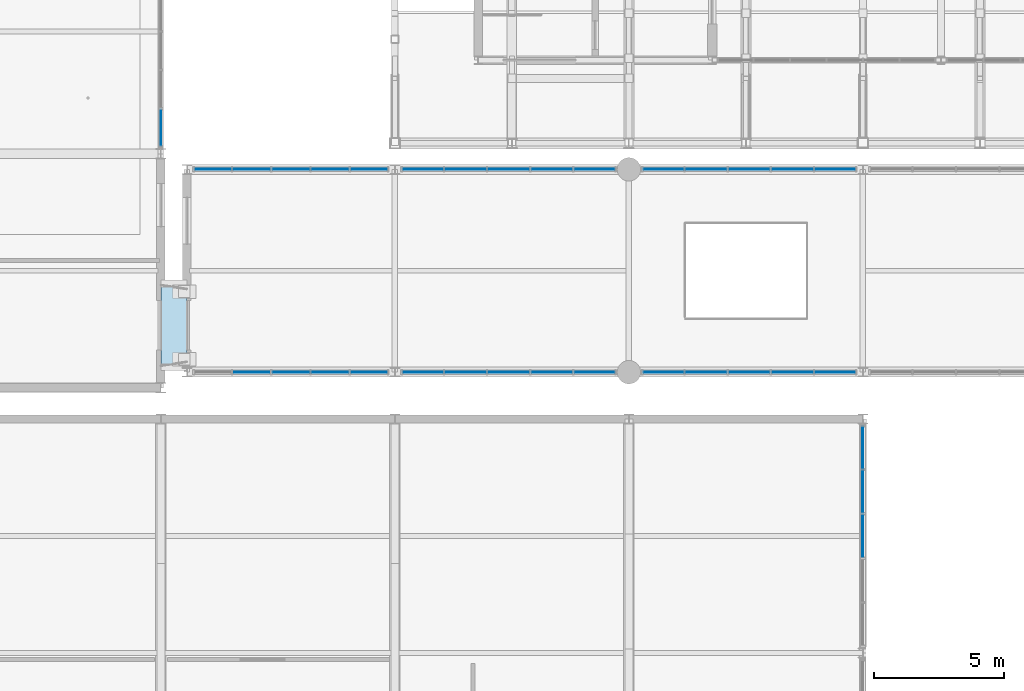
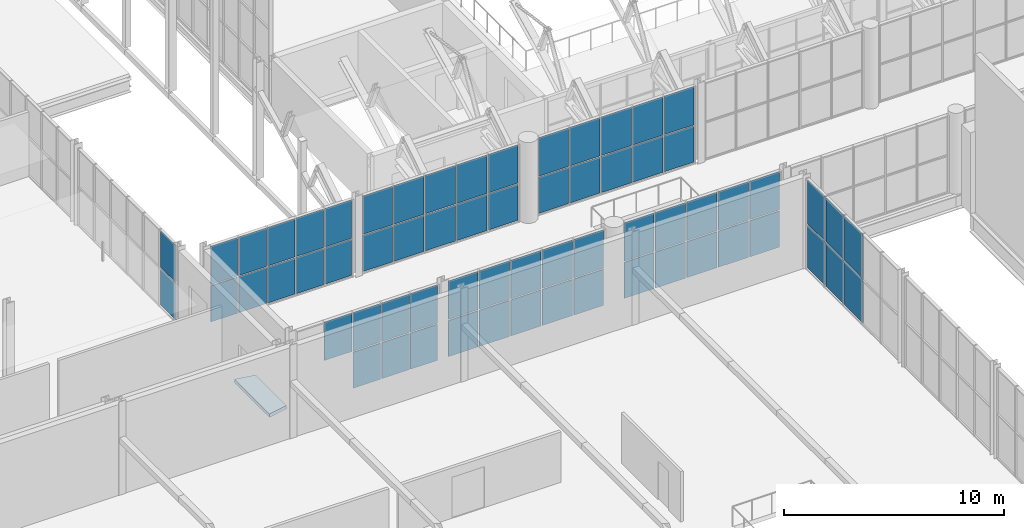
# One storey, part 91 of 134: 65 plates, 1 slab, 8 elements without a shape of their own.
"""IFC4 building model written with IfcOpenShell, lengths in metres."""

from ifc_helpers import new_model, si_unit, direction, frame, origin, origin_2d, place, context, subcontext, project, spatial, polyline, rectangle, outline, extrude, material, layer, layer_set, type_object, element, aggregate, save


model = new_model("IFC4")

# Units and contexts
model_context = context("Model", 3, precision=1e-05, world=origin(), true_north=direction((0.0, 1.0)))
body_context = subcontext(model_context, "Body", "Model", "MODEL_VIEW")
ifc_project = project(units=[si_unit("LENGTHUNIT", "METRE"), si_unit("AREAUNIT", "SQUARE_METRE"), si_unit("VOLUMEUNIT", "CUBIC_METRE"), si_unit("PLANEANGLEUNIT", "RADIAN"), si_unit("MASSUNIT", "GRAM", prefix="KILO")], contexts=[model_context])

# Site, building, storey
site_placement = place(None, origin())
site = spatial("IfcSite", under=ifc_project, at=site_placement, CompositionType="ELEMENT")
building_placement = place(site_placement, origin())
building = spatial("IfcBuilding", under=site, at=building_placement, Name="Cazmaro Siding Exhibition Halls", CompositionType="ELEMENT")
storey_placement = place(building_placement, frame((0.0, 0.0, 12.0)))
storey = spatial("IfcBuildingStorey", under=building, at=storey_placement, Name="L02", CompositionType="ELEMENT", Elevation=12.0)

# Curtain wall, plates
ifc_material_1 = material(Name="Anodized Bronze Aluminum and Solar-Control Low-E Glazing", Category="aluminium")
ifc_layer_1 = layer(ifc_material_1, 0.179931640625)
ifc_layer_set_1 = layer_set([ifc_layer_1], Name="Anodized Bronze Aluminum and Solar-Control Low-E Glazing")
curtain_wall_type_1 = type_object("IfcCurtainWallType", Name="CWS-01", PredefinedType="USERDEFINED", material=ifc_layer_set_1)
curtain_wall_1_placement = place(storey_placement, origin())
curtain_wall_1 = element("IfcCurtainWall", 1, at=curtain_wall_1_placement, inside=storey, type_object=curtain_wall_type_1, Name="Glazed Curtain Wall CWS-01 CW-237", ObjectType="GLAZED CURTAIN WALL", PredefinedType="USERDEFINED")
ifc_material_2 = material(Name="Solar-Control Low-E Double Insulating Glass", Category="glass")
ifc_layer_2 = layer(ifc_material_2, 0.02392578125)
ifc_layer_set_2 = layer_set([ifc_layer_2], Name="Solar-Control Low-E Double Insulating Glass")
plate_type_1 = type_object("IfcPlateType", Name="CWP-01", PredefinedType="CURTAIN_PANEL", material=ifc_layer_set_2)
plate_1_placement = place(storey_placement, frame((36.0, 64.6025390625, 0.06005859375), z_axis=(0.0, 0.0, 1.0), x_axis=(0.0, 1.0, 0.0)))
plate_1 = element("IfcPlate", 2, at=plate_1_placement, type_object=plate_type_1, Name="CWS-01 panel 1.1", PredefinedType="CURTAIN_PANEL", context=body_context, shape_type="SweptSolid", body=[
    extrude(rectangle(XDim=1.39501953125, YDim=0.02392578125, at=origin_2d()), origin(), (0.0, 0.0, 1.0), 2.050048828125),
])
plate_2_placement = place(storey_placement, frame((36.0, 64.6025390625, 2.169921875), z_axis=(0.0, 0.0, 1.0), x_axis=(0.0, 1.0, 0.0)))
plate_2 = element("IfcPlate", 3, at=plate_2_placement, type_object=plate_type_1, Name="CWS-01 panel 1.2", PredefinedType="CURTAIN_PANEL", context=body_context, shape_type="SweptSolid", body=[
    extrude(rectangle(XDim=1.39501953125, YDim=0.02392578125, at=origin_2d()), origin(), (0.0, 0.0, 1.0), 2.050048828125),
])
aggregate(curtain_wall_1, [plate_1, plate_2])

ifc_material_3 = material(Name="Anodized Bronze Aluminum and Solar-Control Low-E Glazing", Category="aluminium")
ifc_layer_3 = layer(ifc_material_3, 0.199951171875)
ifc_layer_set_3 = layer_set([ifc_layer_3], Name="Anodized Bronze Aluminum and Solar-Control Low-E Glazing")
curtain_wall_type_2 = type_object("IfcCurtainWallType", Name="CWS-02", PredefinedType="USERDEFINED", material=ifc_layer_set_3)
curtain_wall_2_placement = place(storey_placement, origin())
curtain_wall_2 = element("IfcCurtainWall", 4, at=curtain_wall_2_placement, inside=storey, type_object=curtain_wall_type_2, Name="Glazed Curtain Wall CWS-02 CW-142", ObjectType="GLAZED CURTAIN WALL", PredefinedType="USERDEFINED")
ifc_material_4 = material(Name="Solar-Control Low-E Double Insulating Glass", Category="glass")
ifc_layer_4 = layer(ifc_material_4, 0.035888671875)
ifc_layer_set_4 = layer_set([ifc_layer_4], Name="Solar-Control Low-E Double Insulating Glass")
plate_type_2 = type_object("IfcPlateType", Name="CWP-02", PredefinedType="CURTAIN_PANEL", material=ifc_layer_set_4)
plate_3_placement = place(storey_placement, frame((39.491943359375, 55.199951171875, 2.132568359375), z_axis=(0.0, 0.0, 1.0), x_axis=(1.0, 0.0, 0.0)))
plate_3 = element("IfcPlate", 5, at=plate_3_placement, type_object=plate_type_2, Name="CWS-02 panel 2.2", PredefinedType="CURTAIN_PANEL", context=body_context, shape_type="SweptSolid", body=[
    extrude(rectangle(XDim=1.443115234375, YDim=0.035888671875, at=origin_2d()), origin(), (0.0, 0.0, 1.0), 2.12744140625),
])
plate_4_placement = place(storey_placement, frame((41.0, 55.199951171875, 0.06494140625), z_axis=(0.0, 0.0, 1.0), x_axis=(1.0, 0.0, 0.0)))
plate_4 = element("IfcPlate", 6, at=plate_4_placement, type_object=plate_type_2, Name="CWS-02 panel 3.1", PredefinedType="CURTAIN_PANEL", context=body_context, shape_type="SweptSolid", body=[
    extrude(rectangle(XDim=1.443115234375, YDim=0.035888671875, at=origin_2d()), origin(), (0.0, 0.0, 1.0), 2.00244140625),
])
plate_5_placement = place(storey_placement, frame((41.0, 55.199951171875, 2.132568359375), z_axis=(0.0, 0.0, 1.0), x_axis=(1.0, 0.0, 0.0)))
plate_5 = element("IfcPlate", 7, at=plate_5_placement, type_object=plate_type_2, Name="CWS-02 panel 3.2", PredefinedType="CURTAIN_PANEL", context=body_context, shape_type="SweptSolid", body=[
    extrude(rectangle(XDim=1.443115234375, YDim=0.035888671875, at=origin_2d()), origin(), (0.0, 0.0, 1.0), 2.12744140625),
])
plate_6_placement = place(storey_placement, frame((42.508056640625, 55.199951171875, 0.06494140625), z_axis=(0.0, 0.0, 1.0), x_axis=(1.0, 0.0, 0.0)))
plate_6 = element("IfcPlate", 8, at=plate_6_placement, type_object=plate_type_2, Name="CWS-02 panel 4.1", PredefinedType="CURTAIN_PANEL", context=body_context, shape_type="SweptSolid", body=[
    extrude(rectangle(XDim=1.443115234375, YDim=0.035888671875, at=origin_2d()), origin(), (0.0, 0.0, 1.0), 2.00244140625),
])
plate_7_placement = place(storey_placement, frame((42.508056640625, 55.199951171875, 2.132568359375), z_axis=(0.0, 0.0, 1.0), x_axis=(1.0, 0.0, 0.0)))
plate_7 = element("IfcPlate", 9, at=plate_7_placement, type_object=plate_type_2, Name="CWS-02 panel 4.2", PredefinedType="CURTAIN_PANEL", context=body_context, shape_type="SweptSolid", body=[
    extrude(rectangle(XDim=1.443115234375, YDim=0.035888671875, at=origin_2d()), origin(), (0.0, 0.0, 1.0), 2.12744140625),
])
plate_8_placement = place(storey_placement, frame((43.999755859375, 55.199951171875, 0.06494140625), z_axis=(0.0, 0.0, 1.0), x_axis=(1.0, 0.0, 0.0)))
plate_8 = element("IfcPlate", 10, at=plate_8_placement, type_object=plate_type_2, Name="CWS-02 panel 5.1", PredefinedType="CURTAIN_PANEL", context=body_context, shape_type="SweptSolid", body=[
    extrude(rectangle(XDim=1.410400390625, YDim=0.035888671875, at=origin_2d()), origin(), (0.0, 0.0, 1.0), 2.00244140625),
])
plate_9_placement = place(storey_placement, frame((43.999755859375, 55.199951171875, 2.132568359375), z_axis=(0.0, 0.0, 1.0), x_axis=(1.0, 0.0, 0.0)))
plate_9 = element("IfcPlate", 11, at=plate_9_placement, type_object=plate_type_2, Name="CWS-02 panel 5.2", PredefinedType="CURTAIN_PANEL", context=body_context, shape_type="SweptSolid", body=[
    extrude(rectangle(XDim=1.410400390625, YDim=0.035888671875, at=origin_2d()), origin(), (0.0, 0.0, 1.0), 2.12744140625),
])
aggregate(curtain_wall_2, [plate_3, plate_4, plate_5, plate_6, plate_7, plate_8, plate_9])

curtain_wall_3_placement = place(storey_placement, origin())
curtain_wall_3 = element("IfcCurtainWall", 12, at=curtain_wall_3_placement, inside=storey, type_object=curtain_wall_type_2, Name="Glazed Curtain Wall CWS-02 CW-144", ObjectType="GLAZED CURTAIN WALL", PredefinedType="USERDEFINED")
plate_10_placement = place(storey_placement, frame((43.999755859375, 63.0, 0.06494140625), z_axis=(0.0, 0.0, 1.0), x_axis=(-1.0, 0.0, 0.0)))
plate_10 = element("IfcPlate", 13, at=plate_10_placement, type_object=plate_type_2, Name="CWS-02 panel 1.1", PredefinedType="CURTAIN_PANEL", context=body_context, shape_type="SweptSolid", body=[
    extrude(rectangle(XDim=1.410400390625, YDim=0.035888671875, at=origin_2d()), origin(), (0.0, 0.0, 1.0), 2.00244140625),
])
plate_11_placement = place(storey_placement, frame((43.999755859375, 63.0, 2.132568359375), z_axis=(0.0, 0.0, 1.0), x_axis=(-1.0, 0.0, 0.0)))
plate_11 = element("IfcPlate", 14, at=plate_11_placement, type_object=plate_type_2, Name="CWS-02 panel 1.2", PredefinedType="CURTAIN_PANEL", context=body_context, shape_type="SweptSolid", body=[
    extrude(rectangle(XDim=1.410400390625, YDim=0.035888671875, at=origin_2d()), origin(), (0.0, 0.0, 1.0), 2.12744140625),
])
plate_12_placement = place(storey_placement, frame((42.508056640625, 63.0, 0.06494140625), z_axis=(0.0, 0.0, 1.0), x_axis=(-1.0, 0.0, 0.0)))
plate_12 = element("IfcPlate", 15, at=plate_12_placement, type_object=plate_type_2, Name="CWS-02 panel 2.1", PredefinedType="CURTAIN_PANEL", context=body_context, shape_type="SweptSolid", body=[
    extrude(rectangle(XDim=1.443115234375, YDim=0.035888671875, at=origin_2d()), origin(), (0.0, 0.0, 1.0), 2.00244140625),
])
plate_13_placement = place(storey_placement, frame((42.508056640625, 63.0, 2.132568359375), z_axis=(0.0, 0.0, 1.0), x_axis=(-1.0, 0.0, 0.0)))
plate_13 = element("IfcPlate", 16, at=plate_13_placement, type_object=plate_type_2, Name="CWS-02 panel 2.2", PredefinedType="CURTAIN_PANEL", context=body_context, shape_type="SweptSolid", body=[
    extrude(rectangle(XDim=1.443115234375, YDim=0.035888671875, at=origin_2d()), origin(), (0.0, 0.0, 1.0), 2.12744140625),
])
plate_14_placement = place(storey_placement, frame((41.0, 63.0, 0.06494140625), z_axis=(0.0, 0.0, 1.0), x_axis=(-1.0, 0.0, 0.0)))
plate_14 = element("IfcPlate", 17, at=plate_14_placement, type_object=plate_type_2, Name="CWS-02 panel 3.1", PredefinedType="CURTAIN_PANEL", context=body_context, shape_type="SweptSolid", body=[
    extrude(rectangle(XDim=1.443115234375, YDim=0.035888671875, at=origin_2d()), origin(), (0.0, 0.0, 1.0), 2.00244140625),
])
plate_15_placement = place(storey_placement, frame((41.0, 63.0, 2.132568359375), z_axis=(0.0, 0.0, 1.0), x_axis=(-1.0, 0.0, 0.0)))
plate_15 = element("IfcPlate", 18, at=plate_15_placement, type_object=plate_type_2, Name="CWS-02 panel 3.2", PredefinedType="CURTAIN_PANEL", context=body_context, shape_type="SweptSolid", body=[
    extrude(rectangle(XDim=1.443115234375, YDim=0.035888671875, at=origin_2d()), origin(), (0.0, 0.0, 1.0), 2.12744140625),
])
plate_16_placement = place(storey_placement, frame((39.491943359375, 63.0, 0.06494140625), z_axis=(0.0, 0.0, 1.0), x_axis=(-1.0, 0.0, 0.0)))
plate_16 = element("IfcPlate", 19, at=plate_16_placement, type_object=plate_type_2, Name="CWS-02 panel 4.1", PredefinedType="CURTAIN_PANEL", context=body_context, shape_type="SweptSolid", body=[
    extrude(rectangle(XDim=1.443115234375, YDim=0.035888671875, at=origin_2d()), origin(), (0.0, 0.0, 1.0), 2.00244140625),
])
plate_17_placement = place(storey_placement, frame((39.491943359375, 63.0, 2.132568359375), z_axis=(0.0, 0.0, 1.0), x_axis=(-1.0, 0.0, 0.0)))
plate_17 = element("IfcPlate", 20, at=plate_17_placement, type_object=plate_type_2, Name="CWS-02 panel 4.2", PredefinedType="CURTAIN_PANEL", context=body_context, shape_type="SweptSolid", body=[
    extrude(rectangle(XDim=1.443115234375, YDim=0.035888671875, at=origin_2d()), origin(), (0.0, 0.0, 1.0), 2.12744140625),
])
plate_18_placement = place(storey_placement, frame((38.000244140625, 63.0, 0.06494140625), z_axis=(0.0, 0.0, 1.0), x_axis=(-1.0, 0.0, 0.0)))
plate_18 = element("IfcPlate", 21, at=plate_18_placement, type_object=plate_type_2, Name="CWS-02 panel 5.1", PredefinedType="CURTAIN_PANEL", context=body_context, shape_type="SweptSolid", body=[
    extrude(rectangle(XDim=1.410400390625, YDim=0.035888671875, at=origin_2d()), origin(), (0.0, 0.0, 1.0), 2.00244140625),
])
plate_19_placement = place(storey_placement, frame((38.000244140625, 63.0, 2.132568359375), z_axis=(0.0, 0.0, 1.0), x_axis=(-1.0, 0.0, 0.0)))
plate_19 = element("IfcPlate", 22, at=plate_19_placement, type_object=plate_type_2, Name="CWS-02 panel 5.2", PredefinedType="CURTAIN_PANEL", context=body_context, shape_type="SweptSolid", body=[
    extrude(rectangle(XDim=1.410400390625, YDim=0.035888671875, at=origin_2d()), origin(), (0.0, 0.0, 1.0), 2.12744140625),
])
aggregate(curtain_wall_3, [plate_10, plate_11, plate_12, plate_13, plate_14, plate_15, plate_16, plate_17, plate_18, plate_19])

curtain_wall_4_placement = place(storey_placement, origin())
curtain_wall_4 = element("IfcCurtainWall", 23, at=curtain_wall_4_placement, inside=storey, type_object=curtain_wall_type_2, Name="Glazed Curtain Wall CWS-02 CW-147", ObjectType="GLAZED CURTAIN WALL", PredefinedType="USERDEFINED")
plate_20_placement = place(storey_placement, frame((46.074951171875, 55.199951171875, 0.06494140625), z_axis=(0.0, 0.0, 1.0), x_axis=(1.0, 0.0, 0.0)))
plate_20 = element("IfcPlate", 24, at=plate_20_placement, type_object=plate_type_2, Name="CWS-02 panel 1.1", PredefinedType="CURTAIN_PANEL", context=body_context, shape_type="SweptSolid", body=[
    extrude(rectangle(XDim=1.559814453125, YDim=0.035888671875, at=origin_2d()), origin(), (0.0, 0.0, 1.0), 2.00244140625),
])
plate_21_placement = place(storey_placement, frame((46.074951171875, 55.199951171875, 2.132568359375), z_axis=(0.0, 0.0, 1.0), x_axis=(1.0, 0.0, 0.0)))
plate_21 = element("IfcPlate", 25, at=plate_21_placement, type_object=plate_type_2, Name="CWS-02 panel 1.2", PredefinedType="CURTAIN_PANEL", context=body_context, shape_type="SweptSolid", body=[
    extrude(rectangle(XDim=1.559814453125, YDim=0.035888671875, at=origin_2d()), origin(), (0.0, 0.0, 1.0), 2.12744140625),
])
plate_22_placement = place(storey_placement, frame((47.716064453125, 55.199951171875, 0.06494140625), z_axis=(0.0, 0.0, 1.0), x_axis=(1.0, 0.0, 0.0)))
plate_22 = element("IfcPlate", 26, at=plate_22_placement, type_object=plate_type_2, Name="CWS-02 panel 2.1", PredefinedType="CURTAIN_PANEL", context=body_context, shape_type="SweptSolid", body=[
    extrude(rectangle(XDim=1.59228515625, YDim=0.035888671875, at=origin_2d()), origin(), (0.0, 0.0, 1.0), 2.00244140625),
])
plate_23_placement = place(storey_placement, frame((47.716064453125, 55.199951171875, 2.132568359375), z_axis=(0.0, 0.0, 1.0), x_axis=(1.0, 0.0, 0.0)))
plate_23 = element("IfcPlate", 27, at=plate_23_placement, type_object=plate_type_2, Name="CWS-02 panel 2.2", PredefinedType="CURTAIN_PANEL", context=body_context, shape_type="SweptSolid", body=[
    extrude(rectangle(XDim=1.59228515625, YDim=0.035888671875, at=origin_2d()), origin(), (0.0, 0.0, 1.0), 2.12744140625),
])
plate_24_placement = place(storey_placement, frame((49.37353515625, 55.199951171875, 0.06494140625), z_axis=(0.0, 0.0, 1.0), x_axis=(1.0, 0.0, 0.0)))
plate_24 = element("IfcPlate", 28, at=plate_24_placement, type_object=plate_type_2, Name="CWS-02 panel 3.1", PredefinedType="CURTAIN_PANEL", context=body_context, shape_type="SweptSolid", body=[
    extrude(rectangle(XDim=1.59228515625, YDim=0.035888671875, at=origin_2d()), origin(), (0.0, 0.0, 1.0), 2.00244140625),
])
plate_25_placement = place(storey_placement, frame((49.37353515625, 55.199951171875, 2.132568359375), z_axis=(0.0, 0.0, 1.0), x_axis=(1.0, 0.0, 0.0)))
plate_25 = element("IfcPlate", 29, at=plate_25_placement, type_object=plate_type_2, Name="CWS-02 panel 3.2", PredefinedType="CURTAIN_PANEL", context=body_context, shape_type="SweptSolid", body=[
    extrude(rectangle(XDim=1.59228515625, YDim=0.035888671875, at=origin_2d()), origin(), (0.0, 0.0, 1.0), 2.12744140625),
])
plate_26_placement = place(storey_placement, frame((51.031005859375, 55.199951171875, 0.06494140625), z_axis=(0.0, 0.0, 1.0), x_axis=(1.0, 0.0, 0.0)))
plate_26 = element("IfcPlate", 30, at=plate_26_placement, type_object=plate_type_2, Name="CWS-02 panel 4.1", PredefinedType="CURTAIN_PANEL", context=body_context, shape_type="SweptSolid", body=[
    extrude(rectangle(XDim=1.59228515625, YDim=0.035888671875, at=origin_2d()), origin(), (0.0, 0.0, 1.0), 2.00244140625),
])
plate_27_placement = place(storey_placement, frame((51.031005859375, 55.199951171875, 2.132568359375), z_axis=(0.0, 0.0, 1.0), x_axis=(1.0, 0.0, 0.0)))
plate_27 = element("IfcPlate", 31, at=plate_27_placement, type_object=plate_type_2, Name="CWS-02 panel 4.2", PredefinedType="CURTAIN_PANEL", context=body_context, shape_type="SweptSolid", body=[
    extrude(rectangle(XDim=1.59228515625, YDim=0.035888671875, at=origin_2d()), origin(), (0.0, 0.0, 1.0), 2.12744140625),
])
plate_28_placement = place(storey_placement, frame((52.672119140625, 55.199951171875, 0.06494140625), z_axis=(0.0, 0.0, 1.0), x_axis=(1.0, 0.0, 0.0)))
plate_28 = element("IfcPlate", 32, at=plate_28_placement, type_object=plate_type_2, Name="CWS-02 panel 5.1", PredefinedType="CURTAIN_PANEL", context=body_context, shape_type="SweptSolid", body=[
    extrude(rectangle(XDim=1.559814453125, YDim=0.035888671875, at=origin_2d()), origin(), (0.0, 0.0, 1.0), 2.00244140625),
])
plate_29_placement = place(storey_placement, frame((52.672119140625, 55.199951171875, 2.132568359375), z_axis=(0.0, 0.0, 1.0), x_axis=(1.0, 0.0, 0.0)))
plate_29 = element("IfcPlate", 33, at=plate_29_placement, type_object=plate_type_2, Name="CWS-02 panel 5.2", PredefinedType="CURTAIN_PANEL", context=body_context, shape_type="SweptSolid", body=[
    extrude(rectangle(XDim=1.559814453125, YDim=0.035888671875, at=origin_2d()), origin(), (0.0, 0.0, 1.0), 2.12744140625),
])
aggregate(curtain_wall_4, [plate_20, plate_21, plate_22, plate_23, plate_24, plate_25, plate_26, plate_27, plate_28, plate_29])

curtain_wall_5_placement = place(storey_placement, origin())
curtain_wall_5 = element("IfcCurtainWall", 34, at=curtain_wall_5_placement, inside=storey, type_object=curtain_wall_type_2, Name="Glazed Curtain Wall CWS-02 CW-149", ObjectType="GLAZED CURTAIN WALL", PredefinedType="USERDEFINED")
plate_30_placement = place(storey_placement, frame((52.672119140625, 63.0, 0.06494140625), z_axis=(0.0, 0.0, 1.0), x_axis=(-1.0, 0.0, 0.0)))
plate_30 = element("IfcPlate", 35, at=plate_30_placement, type_object=plate_type_2, Name="CWS-02 panel 1.1", PredefinedType="CURTAIN_PANEL", context=body_context, shape_type="SweptSolid", body=[
    extrude(rectangle(XDim=1.559814453125, YDim=0.035888671875, at=origin_2d()), origin(), (0.0, 0.0, 1.0), 2.00244140625),
])
plate_31_placement = place(storey_placement, frame((52.672119140625, 63.0, 2.132568359375), z_axis=(0.0, 0.0, 1.0), x_axis=(-1.0, 0.0, 0.0)))
plate_31 = element("IfcPlate", 36, at=plate_31_placement, type_object=plate_type_2, Name="CWS-02 panel 1.2", PredefinedType="CURTAIN_PANEL", context=body_context, shape_type="SweptSolid", body=[
    extrude(rectangle(XDim=1.559814453125, YDim=0.035888671875, at=origin_2d()), origin(), (0.0, 0.0, 1.0), 2.12744140625),
])
plate_32_placement = place(storey_placement, frame((51.031005859375, 63.0, 0.06494140625), z_axis=(0.0, 0.0, 1.0), x_axis=(-1.0, 0.0, 0.0)))
plate_32 = element("IfcPlate", 37, at=plate_32_placement, type_object=plate_type_2, Name="CWS-02 panel 2.1", PredefinedType="CURTAIN_PANEL", context=body_context, shape_type="SweptSolid", body=[
    extrude(rectangle(XDim=1.59228515625, YDim=0.035888671875, at=origin_2d()), origin(), (0.0, 0.0, 1.0), 2.00244140625),
])
plate_33_placement = place(storey_placement, frame((51.031005859375, 63.0, 2.132568359375), z_axis=(0.0, 0.0, 1.0), x_axis=(-1.0, 0.0, 0.0)))
plate_33 = element("IfcPlate", 38, at=plate_33_placement, type_object=plate_type_2, Name="CWS-02 panel 2.2", PredefinedType="CURTAIN_PANEL", context=body_context, shape_type="SweptSolid", body=[
    extrude(rectangle(XDim=1.59228515625, YDim=0.035888671875, at=origin_2d()), origin(), (0.0, 0.0, 1.0), 2.12744140625),
])
plate_34_placement = place(storey_placement, frame((49.37353515625, 63.0, 0.06494140625), z_axis=(0.0, 0.0, 1.0), x_axis=(-1.0, 0.0, 0.0)))
plate_34 = element("IfcPlate", 39, at=plate_34_placement, type_object=plate_type_2, Name="CWS-02 panel 3.1", PredefinedType="CURTAIN_PANEL", context=body_context, shape_type="SweptSolid", body=[
    extrude(rectangle(XDim=1.59228515625, YDim=0.035888671875, at=origin_2d()), origin(), (0.0, 0.0, 1.0), 2.00244140625),
])
plate_35_placement = place(storey_placement, frame((49.37353515625, 63.0, 2.132568359375), z_axis=(0.0, 0.0, 1.0), x_axis=(-1.0, 0.0, 0.0)))
plate_35 = element("IfcPlate", 40, at=plate_35_placement, type_object=plate_type_2, Name="CWS-02 panel 3.2", PredefinedType="CURTAIN_PANEL", context=body_context, shape_type="SweptSolid", body=[
    extrude(rectangle(XDim=1.59228515625, YDim=0.035888671875, at=origin_2d()), origin(), (0.0, 0.0, 1.0), 2.12744140625),
])
plate_36_placement = place(storey_placement, frame((47.716064453125, 63.0, 0.06494140625), z_axis=(0.0, 0.0, 1.0), x_axis=(-1.0, 0.0, 0.0)))
plate_36 = element("IfcPlate", 41, at=plate_36_placement, type_object=plate_type_2, Name="CWS-02 panel 4.1", PredefinedType="CURTAIN_PANEL", context=body_context, shape_type="SweptSolid", body=[
    extrude(rectangle(XDim=1.59228515625, YDim=0.035888671875, at=origin_2d()), origin(), (0.0, 0.0, 1.0), 2.00244140625),
])
plate_37_placement = place(storey_placement, frame((47.716064453125, 63.0, 2.132568359375), z_axis=(0.0, 0.0, 1.0), x_axis=(-1.0, 0.0, 0.0)))
plate_37 = element("IfcPlate", 42, at=plate_37_placement, type_object=plate_type_2, Name="CWS-02 panel 4.2", PredefinedType="CURTAIN_PANEL", context=body_context, shape_type="SweptSolid", body=[
    extrude(rectangle(XDim=1.59228515625, YDim=0.035888671875, at=origin_2d()), origin(), (0.0, 0.0, 1.0), 2.12744140625),
])
plate_38_placement = place(storey_placement, frame((46.074951171875, 63.0, 0.06494140625), z_axis=(0.0, 0.0, 1.0), x_axis=(-1.0, 0.0, 0.0)))
plate_38 = element("IfcPlate", 43, at=plate_38_placement, type_object=plate_type_2, Name="CWS-02 panel 5.1", PredefinedType="CURTAIN_PANEL", context=body_context, shape_type="SweptSolid", body=[
    extrude(rectangle(XDim=1.559814453125, YDim=0.035888671875, at=origin_2d()), origin(), (0.0, 0.0, 1.0), 2.00244140625),
])
plate_39_placement = place(storey_placement, frame((46.074951171875, 63.0, 2.132568359375), z_axis=(0.0, 0.0, 1.0), x_axis=(-1.0, 0.0, 0.0)))
plate_39 = element("IfcPlate", 44, at=plate_39_placement, type_object=plate_type_2, Name="CWS-02 panel 5.2", PredefinedType="CURTAIN_PANEL", context=body_context, shape_type="SweptSolid", body=[
    extrude(rectangle(XDim=1.559814453125, YDim=0.035888671875, at=origin_2d()), origin(), (0.0, 0.0, 1.0), 2.12744140625),
])
aggregate(curtain_wall_5, [plate_30, plate_31, plate_32, plate_33, plate_34, plate_35, plate_36, plate_37, plate_38, plate_39])

curtain_wall_6_placement = place(storey_placement, origin())
curtain_wall_6 = element("IfcCurtainWall", 45, at=curtain_wall_6_placement, inside=storey, type_object=curtain_wall_type_2, Name="Glazed Curtain Wall CWS-02 CW-152", ObjectType="GLAZED CURTAIN WALL", PredefinedType="USERDEFINED")
plate_40_placement = place(storey_placement, frame((55.327880859375, 55.199951171875, 0.06494140625), z_axis=(0.0, 0.0, 1.0), x_axis=(1.0, 0.0, 0.0)))
plate_40 = element("IfcPlate", 46, at=plate_40_placement, type_object=plate_type_2, Name="CWS-02 panel 1.1", PredefinedType="CURTAIN_PANEL", context=body_context, shape_type="SweptSolid", body=[
    extrude(rectangle(XDim=1.559814453125, YDim=0.035888671875, at=origin_2d()), origin(), (0.0, 0.0, 1.0), 2.00244140625),
])
plate_41_placement = place(storey_placement, frame((55.327880859375, 55.199951171875, 2.132568359375), z_axis=(0.0, 0.0, 1.0), x_axis=(1.0, 0.0, 0.0)))
plate_41 = element("IfcPlate", 47, at=plate_41_placement, type_object=plate_type_2, Name="CWS-02 panel 1.2", PredefinedType="CURTAIN_PANEL", context=body_context, shape_type="SweptSolid", body=[
    extrude(rectangle(XDim=1.559814453125, YDim=0.035888671875, at=origin_2d()), origin(), (0.0, 0.0, 1.0), 2.12744140625),
])
plate_42_placement = place(storey_placement, frame((56.968994140625, 55.199951171875, 0.06494140625), z_axis=(0.0, 0.0, 1.0), x_axis=(1.0, 0.0, 0.0)))
plate_42 = element("IfcPlate", 48, at=plate_42_placement, type_object=plate_type_2, Name="CWS-02 panel 2.1", PredefinedType="CURTAIN_PANEL", context=body_context, shape_type="SweptSolid", body=[
    extrude(rectangle(XDim=1.59228515625, YDim=0.035888671875, at=origin_2d()), origin(), (0.0, 0.0, 1.0), 2.00244140625),
])
plate_43_placement = place(storey_placement, frame((56.968994140625, 55.199951171875, 2.132568359375), z_axis=(0.0, 0.0, 1.0), x_axis=(1.0, 0.0, 0.0)))
plate_43 = element("IfcPlate", 49, at=plate_43_placement, type_object=plate_type_2, Name="CWS-02 panel 2.2", PredefinedType="CURTAIN_PANEL", context=body_context, shape_type="SweptSolid", body=[
    extrude(rectangle(XDim=1.59228515625, YDim=0.035888671875, at=origin_2d()), origin(), (0.0, 0.0, 1.0), 2.12744140625),
])
plate_44_placement = place(storey_placement, frame((58.62646484375, 55.199951171875, 0.06494140625), z_axis=(0.0, 0.0, 1.0), x_axis=(1.0, 0.0, 0.0)))
plate_44 = element("IfcPlate", 50, at=plate_44_placement, type_object=plate_type_2, Name="CWS-02 panel 3.1", PredefinedType="CURTAIN_PANEL", context=body_context, shape_type="SweptSolid", body=[
    extrude(rectangle(XDim=1.59228515625, YDim=0.035888671875, at=origin_2d()), origin(), (0.0, 0.0, 1.0), 2.00244140625),
])
plate_45_placement = place(storey_placement, frame((58.62646484375, 55.199951171875, 2.132568359375), z_axis=(0.0, 0.0, 1.0), x_axis=(1.0, 0.0, 0.0)))
plate_45 = element("IfcPlate", 51, at=plate_45_placement, type_object=plate_type_2, Name="CWS-02 panel 3.2", PredefinedType="CURTAIN_PANEL", context=body_context, shape_type="SweptSolid", body=[
    extrude(rectangle(XDim=1.59228515625, YDim=0.035888671875, at=origin_2d()), origin(), (0.0, 0.0, 1.0), 2.12744140625),
])
plate_46_placement = place(storey_placement, frame((60.283935546875, 55.199951171875, 0.06494140625), z_axis=(0.0, 0.0, 1.0), x_axis=(1.0, 0.0, 0.0)))
plate_46 = element("IfcPlate", 52, at=plate_46_placement, type_object=plate_type_2, Name="CWS-02 panel 4.1", PredefinedType="CURTAIN_PANEL", context=body_context, shape_type="SweptSolid", body=[
    extrude(rectangle(XDim=1.59228515625, YDim=0.035888671875, at=origin_2d()), origin(), (0.0, 0.0, 1.0), 2.00244140625),
])
plate_47_placement = place(storey_placement, frame((60.283935546875, 55.199951171875, 2.132568359375), z_axis=(0.0, 0.0, 1.0), x_axis=(1.0, 0.0, 0.0)))
plate_47 = element("IfcPlate", 53, at=plate_47_placement, type_object=plate_type_2, Name="CWS-02 panel 4.2", PredefinedType="CURTAIN_PANEL", context=body_context, shape_type="SweptSolid", body=[
    extrude(rectangle(XDim=1.59228515625, YDim=0.035888671875, at=origin_2d()), origin(), (0.0, 0.0, 1.0), 2.12744140625),
])
plate_48_placement = place(storey_placement, frame((61.925048828125, 55.199951171875, 0.06494140625), z_axis=(0.0, 0.0, 1.0), x_axis=(1.0, 0.0, 0.0)))
plate_48 = element("IfcPlate", 54, at=plate_48_placement, type_object=plate_type_2, Name="CWS-02 panel 5.1", PredefinedType="CURTAIN_PANEL", context=body_context, shape_type="SweptSolid", body=[
    extrude(rectangle(XDim=1.559814453125, YDim=0.035888671875, at=origin_2d()), origin(), (0.0, 0.0, 1.0), 2.00244140625),
])
plate_49_placement = place(storey_placement, frame((61.925048828125, 55.199951171875, 2.132568359375), z_axis=(0.0, 0.0, 1.0), x_axis=(1.0, 0.0, 0.0)))
plate_49 = element("IfcPlate", 55, at=plate_49_placement, type_object=plate_type_2, Name="CWS-02 panel 5.2", PredefinedType="CURTAIN_PANEL", context=body_context, shape_type="SweptSolid", body=[
    extrude(rectangle(XDim=1.559814453125, YDim=0.035888671875, at=origin_2d()), origin(), (0.0, 0.0, 1.0), 2.12744140625),
])
aggregate(curtain_wall_6, [plate_40, plate_41, plate_42, plate_43, plate_44, plate_45, plate_46, plate_47, plate_48, plate_49])

curtain_wall_7_placement = place(storey_placement, origin())
curtain_wall_7 = element("IfcCurtainWall", 56, at=curtain_wall_7_placement, inside=storey, type_object=curtain_wall_type_2, Name="Glazed Curtain Wall CWS-02 CW-154", ObjectType="GLAZED CURTAIN WALL", PredefinedType="USERDEFINED")
plate_50_placement = place(storey_placement, frame((61.925048828125, 63.0, 0.06494140625), z_axis=(0.0, 0.0, 1.0), x_axis=(-1.0, 0.0, 0.0)))
plate_50 = element("IfcPlate", 57, at=plate_50_placement, type_object=plate_type_2, Name="CWS-02 panel 1.1", PredefinedType="CURTAIN_PANEL", context=body_context, shape_type="SweptSolid", body=[
    extrude(rectangle(XDim=1.559814453125, YDim=0.035888671875, at=origin_2d()), origin(), (0.0, 0.0, 1.0), 2.00244140625),
])
plate_51_placement = place(storey_placement, frame((61.925048828125, 63.0, 2.132568359375), z_axis=(0.0, 0.0, 1.0), x_axis=(-1.0, 0.0, 0.0)))
plate_51 = element("IfcPlate", 58, at=plate_51_placement, type_object=plate_type_2, Name="CWS-02 panel 1.2", PredefinedType="CURTAIN_PANEL", context=body_context, shape_type="SweptSolid", body=[
    extrude(rectangle(XDim=1.559814453125, YDim=0.035888671875, at=origin_2d()), origin(), (0.0, 0.0, 1.0), 2.12744140625),
])
plate_52_placement = place(storey_placement, frame((60.283935546875, 63.0, 0.06494140625), z_axis=(0.0, 0.0, 1.0), x_axis=(-1.0, 0.0, 0.0)))
plate_52 = element("IfcPlate", 59, at=plate_52_placement, type_object=plate_type_2, Name="CWS-02 panel 2.1", PredefinedType="CURTAIN_PANEL", context=body_context, shape_type="SweptSolid", body=[
    extrude(rectangle(XDim=1.59228515625, YDim=0.035888671875, at=origin_2d()), origin(), (0.0, 0.0, 1.0), 2.00244140625),
])
plate_53_placement = place(storey_placement, frame((60.283935546875, 63.0, 2.132568359375), z_axis=(0.0, 0.0, 1.0), x_axis=(-1.0, 0.0, 0.0)))
plate_53 = element("IfcPlate", 60, at=plate_53_placement, type_object=plate_type_2, Name="CWS-02 panel 2.2", PredefinedType="CURTAIN_PANEL", context=body_context, shape_type="SweptSolid", body=[
    extrude(rectangle(XDim=1.59228515625, YDim=0.035888671875, at=origin_2d()), origin(), (0.0, 0.0, 1.0), 2.12744140625),
])
plate_54_placement = place(storey_placement, frame((58.62646484375, 63.0, 0.06494140625), z_axis=(0.0, 0.0, 1.0), x_axis=(-1.0, 0.0, 0.0)))
plate_54 = element("IfcPlate", 61, at=plate_54_placement, type_object=plate_type_2, Name="CWS-02 panel 3.1", PredefinedType="CURTAIN_PANEL", context=body_context, shape_type="SweptSolid", body=[
    extrude(rectangle(XDim=1.59228515625, YDim=0.035888671875, at=origin_2d()), origin(), (0.0, 0.0, 1.0), 2.00244140625),
])
plate_55_placement = place(storey_placement, frame((58.62646484375, 63.0, 2.132568359375), z_axis=(0.0, 0.0, 1.0), x_axis=(-1.0, 0.0, 0.0)))
plate_55 = element("IfcPlate", 62, at=plate_55_placement, type_object=plate_type_2, Name="CWS-02 panel 3.2", PredefinedType="CURTAIN_PANEL", context=body_context, shape_type="SweptSolid", body=[
    extrude(rectangle(XDim=1.59228515625, YDim=0.035888671875, at=origin_2d()), origin(), (0.0, 0.0, 1.0), 2.12744140625),
])
plate_56_placement = place(storey_placement, frame((56.968994140625, 63.0, 0.06494140625), z_axis=(0.0, 0.0, 1.0), x_axis=(-1.0, 0.0, 0.0)))
plate_56 = element("IfcPlate", 63, at=plate_56_placement, type_object=plate_type_2, Name="CWS-02 panel 4.1", PredefinedType="CURTAIN_PANEL", context=body_context, shape_type="SweptSolid", body=[
    extrude(rectangle(XDim=1.59228515625, YDim=0.035888671875, at=origin_2d()), origin(), (0.0, 0.0, 1.0), 2.00244140625),
])
plate_57_placement = place(storey_placement, frame((56.968994140625, 63.0, 2.132568359375), z_axis=(0.0, 0.0, 1.0), x_axis=(-1.0, 0.0, 0.0)))
plate_57 = element("IfcPlate", 64, at=plate_57_placement, type_object=plate_type_2, Name="CWS-02 panel 4.2", PredefinedType="CURTAIN_PANEL", context=body_context, shape_type="SweptSolid", body=[
    extrude(rectangle(XDim=1.59228515625, YDim=0.035888671875, at=origin_2d()), origin(), (0.0, 0.0, 1.0), 2.12744140625),
])
plate_58_placement = place(storey_placement, frame((55.327880859375, 63.0, 0.06494140625), z_axis=(0.0, 0.0, 1.0), x_axis=(-1.0, 0.0, 0.0)))
plate_58 = element("IfcPlate", 65, at=plate_58_placement, type_object=plate_type_2, Name="CWS-02 panel 5.1", PredefinedType="CURTAIN_PANEL", context=body_context, shape_type="SweptSolid", body=[
    extrude(rectangle(XDim=1.559814453125, YDim=0.035888671875, at=origin_2d()), origin(), (0.0, 0.0, 1.0), 2.00244140625),
])
plate_59_placement = place(storey_placement, frame((55.327880859375, 63.0, 2.132568359375), z_axis=(0.0, 0.0, 1.0), x_axis=(-1.0, 0.0, 0.0)))
plate_59 = element("IfcPlate", 66, at=plate_59_placement, type_object=plate_type_2, Name="CWS-02 panel 5.2", PredefinedType="CURTAIN_PANEL", context=body_context, shape_type="SweptSolid", body=[
    extrude(rectangle(XDim=1.559814453125, YDim=0.035888671875, at=origin_2d()), origin(), (0.0, 0.0, 1.0), 2.12744140625),
])
aggregate(curtain_wall_7, [plate_50, plate_51, plate_52, plate_53, plate_54, plate_55, plate_56, plate_57, plate_58, plate_59])

curtain_wall_8_placement = place(storey_placement, origin())
curtain_wall_8 = element("IfcCurtainWall", 67, at=curtain_wall_8_placement, inside=storey, type_object=curtain_wall_type_2, Name="Glazed Curtain Wall CWS-02 CW-222", ObjectType="GLAZED CURTAIN WALL", PredefinedType="USERDEFINED")
plate_60_placement = place(storey_placement, frame((63.0, 48.89990234375, 0.06494140625), z_axis=(0.0, 0.0, 1.0), x_axis=(0.0, 1.0, 0.0)))
plate_60 = element("IfcPlate", 68, at=plate_60_placement, type_object=plate_type_2, Name="CWS-02 panel 3.1", PredefinedType="CURTAIN_PANEL", context=body_context, shape_type="SweptSolid", body=[
    extrude(rectangle(XDim=1.642578125, YDim=0.035888671875, at=origin_2d()), origin(), (0.0, 0.0, 1.0), 2.402587890625),
])
plate_61_placement = place(storey_placement, frame((63.0, 48.89990234375, 2.53271484375), z_axis=(0.0, 0.0, 1.0), x_axis=(0.0, 1.0, 0.0)))
plate_61 = element("IfcPlate", 69, at=plate_61_placement, type_object=plate_type_2, Name="CWS-02 panel 3.2", PredefinedType="CURTAIN_PANEL", context=body_context, shape_type="SweptSolid", body=[
    extrude(rectangle(XDim=1.642578125, YDim=0.035888671875, at=origin_2d()), origin(), (0.0, 0.0, 1.0), 2.452392578125),
])
plate_62_placement = place(storey_placement, frame((63.0, 50.607666015625, 0.06494140625), z_axis=(0.0, 0.0, 1.0), x_axis=(0.0, 1.0, 0.0)))
plate_62 = element("IfcPlate", 70, at=plate_62_placement, type_object=plate_type_2, Name="CWS-02 panel 4.1", PredefinedType="CURTAIN_PANEL", context=body_context, shape_type="SweptSolid", body=[
    extrude(rectangle(XDim=1.642578125, YDim=0.035888671875, at=origin_2d()), origin(), (0.0, 0.0, 1.0), 2.402587890625),
])
plate_63_placement = place(storey_placement, frame((63.0, 50.607666015625, 2.53271484375), z_axis=(0.0, 0.0, 1.0), x_axis=(0.0, 1.0, 0.0)))
plate_63 = element("IfcPlate", 71, at=plate_63_placement, type_object=plate_type_2, Name="CWS-02 panel 4.2", PredefinedType="CURTAIN_PANEL", context=body_context, shape_type="SweptSolid", body=[
    extrude(rectangle(XDim=1.642578125, YDim=0.035888671875, at=origin_2d()), origin(), (0.0, 0.0, 1.0), 2.452392578125),
])
plate_64_placement = place(storey_placement, frame((63.0, 52.298828125, 0.06494140625), z_axis=(0.0, 0.0, 1.0), x_axis=(0.0, 1.0, 0.0)))
plate_64 = element("IfcPlate", 72, at=plate_64_placement, type_object=plate_type_2, Name="CWS-02 panel 5.1", PredefinedType="CURTAIN_PANEL", context=body_context, shape_type="SweptSolid", body=[
    extrude(rectangle(XDim=1.610107421875, YDim=0.035888671875, at=origin_2d()), origin(), (0.0, 0.0, 1.0), 2.402587890625),
])
plate_65_placement = place(storey_placement, frame((63.0, 52.298828125, 2.53271484375), z_axis=(0.0, 0.0, 1.0), x_axis=(0.0, 1.0, 0.0)))
plate_65 = element("IfcPlate", 73, at=plate_65_placement, type_object=plate_type_2, Name="CWS-02 panel 5.2", PredefinedType="CURTAIN_PANEL", context=body_context, shape_type="SweptSolid", body=[
    extrude(rectangle(XDim=1.610107421875, YDim=0.035888671875, at=origin_2d()), origin(), (0.0, 0.0, 1.0), 2.452392578125),
])
aggregate(curtain_wall_8, [plate_60, plate_61, plate_62, plate_63, plate_64, plate_65])

# Slab
ifc_material_5 = material(Name="Concrete f'c 35 MPa", Category="concrete")
ifc_layer_5 = layer(ifc_material_5, 0.18994140625)
ifc_layer_set_5 = layer_set([ifc_layer_5], Name="Concrete f'c 35 MPa")
slab_type = type_object("IfcSlabType", Name="FS-04", PredefinedType="FLOOR", material=ifc_layer_set_5)
slab_placement = place(storey_placement, frame((0.0, 0.0, -0.18994140625)))
element("IfcSlab", 74, at=slab_placement, inside=storey, type_object=slab_type, Name="Concourse Sliding Bridge SB-04 L02 FS-04 SLB-0053", PredefinedType="FLOOR", context=body_context, shape_type="SweptSolid", body=[
    extrude(outline(polyline([(36.0, 55.39990234375), (37.0, 55.60009765625), (37.0, 58.39990234375), (36.0, 58.60009765625), (36.0, 55.39990234375)])), origin(), (0.0, 0.0, 1.0), 0.18994140625),
])

save(model, "model.ifc")
